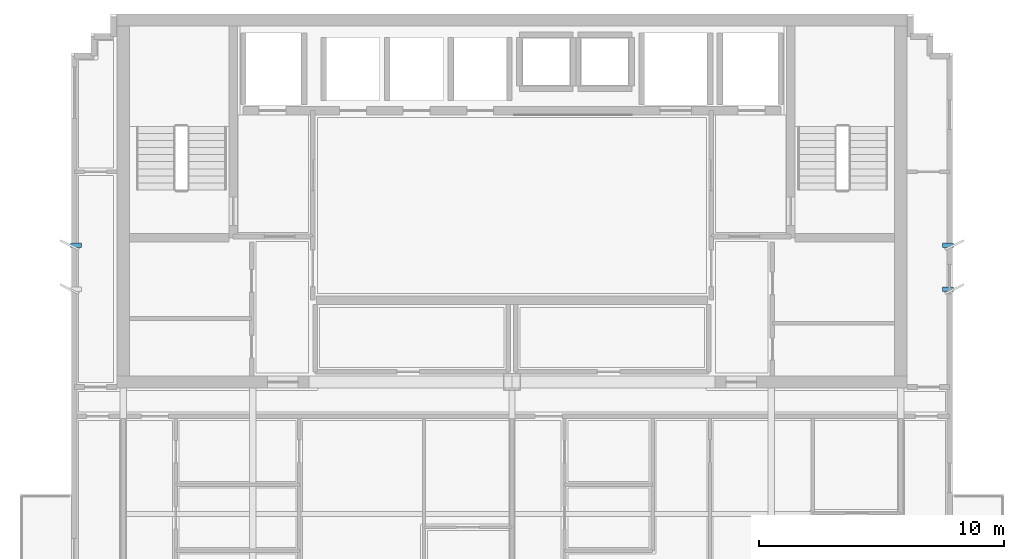
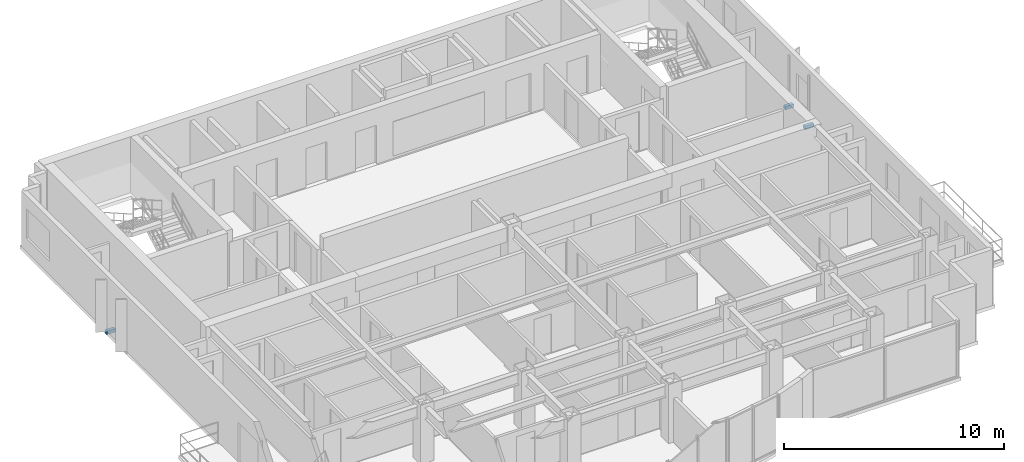
# One storey, part 7 of 9: 3 discrete accessories.
"""IFC4 building model written with IfcOpenShell, lengths in metres."""

from ifc_helpers import new_model, si_unit, direction, frame, origin, origin_2d, place, context, subcontext, project, spatial, rectangle, extrude, source, transform, mapped, material, type_object, element, save


model = new_model("IFC4")

# Units and contexts
model_context = context("Model", 3, precision=1e-05, world=origin(), true_north=direction((0.0, 1.0)))
body_context = subcontext(model_context, "Body", "Model", "MODEL_VIEW")
ifc_project = project(units=[si_unit("LENGTHUNIT", "METRE"), si_unit("AREAUNIT", "SQUARE_METRE"), si_unit("VOLUMEUNIT", "CUBIC_METRE"), si_unit("PLANEANGLEUNIT", "RADIAN"), si_unit("MASSUNIT", "GRAM", prefix="KILO")], contexts=[model_context])

# Site, building, storey
site_placement = place(None, origin())
site = spatial("IfcSite", under=ifc_project, at=site_placement, CompositionType="ELEMENT")
building_placement = place(site_placement, origin())
building = spatial("IfcBuilding", under=site, at=building_placement, Name="Qianlan Lanfeng Residences", CompositionType="ELEMENT")
storey_placement = place(building_placement, frame((0.0, 0.0, 249.5)))
storey = spatial("IfcBuildingStorey", under=building, at=storey_placement, Name="L69", CompositionType="ELEMENT", Elevation=249.5)

# Discrete accessories
ifc_material = material(Name="Stainless Steel Facade Bracket", Category="steel")
discrete_accessory_type = type_object("IfcDiscreteAccessoryType", Name="BRK-SS-350", PredefinedType="BRACKET", material=ifc_material)
shared_shape = source(origin(), body_context, "Body", "SweptSolid", [
    extrude(rectangle(XDim=0.449951171875, YDim=0.179931640625, at=origin_2d()), origin(), (0.0, 0.0, 1.0), 0.179931640625),
])
for number, where, z_axis, x_axis, name in (
    (1, (8.679931640625, 30.800048828125, -0.14990234375), (0.0, 0.0, 1.0), (1.0, 0.0, 0.0), "L69 Raked Solar Fin Support Bracket W2"),
    (2, (44.320068359375, 29.0, -0.14990234375), (0.0, 0.0, 1.0), (1.0, 0.0, 0.0), "L69 Raked Solar Fin Support Bracket E1"),
    (3, (44.320068359375, 30.800048828125, -0.14990234375), (0.0, 0.0, 1.0), (1.0, 0.0, 0.0), "L69 Raked Solar Fin Support Bracket E2"),
):
    element("IfcDiscreteAccessory", number, at=place(storey_placement, frame(where, z_axis=z_axis, x_axis=x_axis)), inside=storey, type_object=discrete_accessory_type, Name=name, PredefinedType="BRACKET", context=body_context, shape_type="MappedRepresentation", body=[
        mapped(shared_shape, transform((0.0, 0.0, 0.0), scale=1.0)),
    ])

save(model, "model.ifc")
